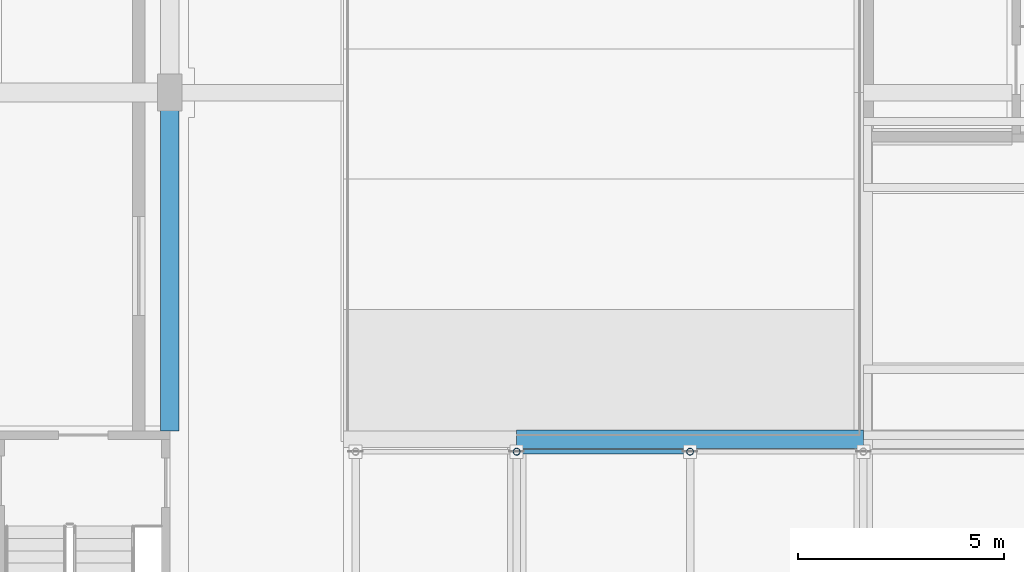
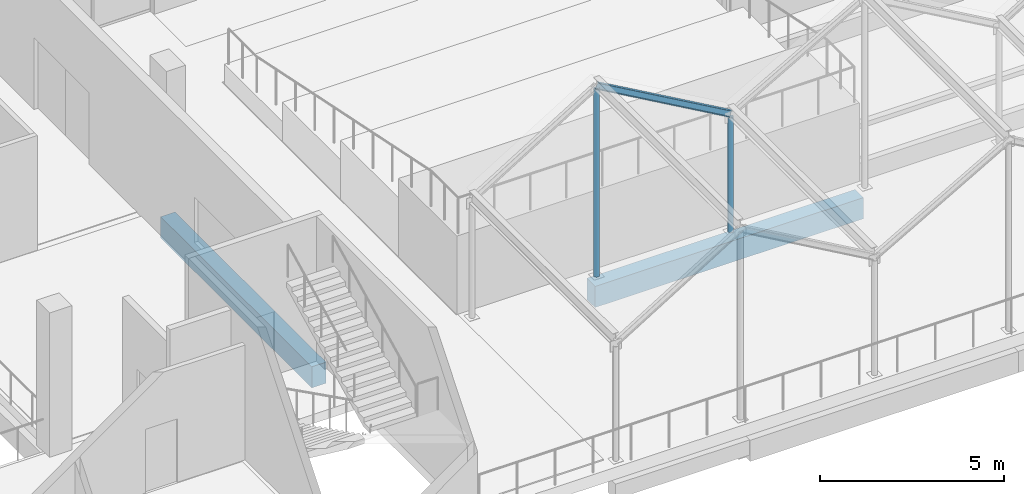
# One storey, part 7 of 67: 3 beams, 2 members.
"""IFC4 building model written with IfcOpenShell, lengths in metres."""

import ifcopenshell
import ifcopenshell.guid

model = None  # the IFC model being written
_history = None  # IfcOwnerHistory: only IFC2X3 demands one
_inside = {}  # id of a spatial element -> (the spatial element, [elements in it])
_under = {}  # id of a project, library or spatial element -> (it, [spatial elements below it])
_declared = {}  # id of a project -> (the project, [libraries it declares])
_typed = {}  # id of a type object -> (the type object, [elements of that type])
_made_of = {}  # id of a material, layer set ... -> (it, [elements and type objects made of it])


def new_model(schema):
    """Start an empty IFC model of exactly this schema.

    Asked for "IFC4X3", IfcOpenShell would pick the latest addendum, in which some entities
    have other attributes; the version numbers below select the first issue.
    IFC2X3 requires an IfcOwnerHistory on every rooted entity: one is made here for all.
    """
    global model, _history
    if schema == "IFC4X3":
        model = ifcopenshell.file(schema_version=(4, 3, 0, 0))
    else:
        model = ifcopenshell.file(schema=schema)
    _inside.clear()
    _under.clear()
    _declared.clear()
    _typed.clear()
    _made_of.clear()
    _history = None
    if model.schema == "IFC2X3":
        org = make("IfcOrganization", Name="unknown")
        user = make(
            "IfcPersonAndOrganization",
            ThePerson=make("IfcPerson", FamilyName="unknown"),
            TheOrganization=org,
        )
        app = make(
            "IfcApplication",
            ApplicationDeveloper=org,
            Version="unknown",
            ApplicationFullName="unknown",
            ApplicationIdentifier="unknown",
        )
        _history = make(
            "IfcOwnerHistory",
            OwningUser=user,
            OwningApplication=app,
            ChangeAction="ADDED",
            CreationDate=0,
        )
    return model


def make(cls, **values):
    """One entity of the class cls with the attributes given. An attribute that is None is left unset."""
    return model.create_entity(
        cls, **{name: value for name, value in values.items() if value is not None}
    )


def rooted(cls, **values):
    """An entity with a GlobalId (a new one), such as an element, a storey or a relation."""
    return make(cls, GlobalId=ifcopenshell.guid.new(), OwnerHistory=_history, **values)


def si_unit(unit_type, name, prefix=None):
    """IfcSIUnit, for example si_unit("LENGTHUNIT", "METRE", prefix="MILLI")."""
    return make("IfcSIUnit", UnitType=unit_type, Prefix=prefix, Name=name)


def assignment(units):
    """IfcUnitAssignment: the units of a project."""
    return None if units is None else make("IfcUnitAssignment", Units=units)


def point(xyz):
    """IfcCartesianPoint."""
    return None if xyz is None else make("IfcCartesianPoint", Coordinates=xyz)


def direction(xyz):
    """IfcDirection."""
    return None if xyz is None else make("IfcDirection", DirectionRatios=xyz)


def frame(location, z_axis=None, x_axis=None):
    """IfcAxis2Placement3D, a coordinate frame: its origin and axes. An axis left out is left unset."""
    return make(
        "IfcAxis2Placement3D",
        Location=point(location),
        Axis=direction(z_axis),
        RefDirection=direction(x_axis),
    )


def frame_2d(location, x_axis=None):
    """IfcAxis2Placement2D, a coordinate frame in the plane: its origin and x axis."""
    return make(
        "IfcAxis2Placement2D", Location=point(location), RefDirection=direction(x_axis)
    )


def origin():
    """The frame at (0, 0, 0) with its axes left unset."""
    return frame((0.0, 0.0, 0.0))


def origin_2d():
    """The frame at (0, 0) in the plane with its x axis left unset."""
    return frame_2d((0.0, 0.0))


def place(relative_to, where):
    """IfcLocalPlacement: puts the frame where relative to a parent placement (None: the world)."""
    return make(
        "IfcLocalPlacement", PlacementRelTo=relative_to, RelativePlacement=where
    )


def context(
    kind, dimensions, precision=None, world=None, true_north=None, identifier=None
):
    """IfcGeometricRepresentationContext, for example the 3D "Model" context."""
    return make(
        "IfcGeometricRepresentationContext",
        ContextIdentifier=identifier,
        ContextType=kind,
        CoordinateSpaceDimension=dimensions,
        Precision=precision,
        WorldCoordinateSystem=world,
        TrueNorth=true_north,
    )


def subcontext(parent, identifier, kind, view, scale=None):
    """IfcGeometricRepresentationSubContext, for example "Body" below "Model"."""
    return make(
        "IfcGeometricRepresentationSubContext",
        ContextIdentifier=identifier,
        ContextType=kind,
        ParentContext=parent,
        TargetScale=scale,
        TargetView=view,
    )


def project(units=None, contexts=None):
    """IfcProject with its units and contexts."""
    return rooted(
        "IfcProject",
        Name="project",
        RepresentationContexts=contexts,
        UnitsInContext=assignment(units),
    )


def spatial(cls, under=None, at=None, **own):
    """A site, building, storey or space (cls), placed at a placement, below another one or the project."""
    s = rooted(cls, ObjectPlacement=at, **own)
    if under is not None:
        _under.setdefault(under.id(), (under, []))[1].append(s)
    return s


def profile(cls, at=None, kind="AREA", **sizes):
    """A parametric profile (cls). Its sizes go by their IFC names, for example OverallWidth=200.0."""
    return make(cls, ProfileType=kind, Position=at, **sizes)


def rectangle(**sizes):
    """IfcRectangleProfileDef."""
    return profile("IfcRectangleProfileDef", **sizes)


def hollow_circle(**sizes):
    """IfcCircleHollowProfileDef."""
    return profile("IfcCircleHollowProfileDef", **sizes)


def i_section(**sizes):
    """IfcIShapeProfileDef."""
    return profile("IfcIShapeProfileDef", **sizes)


def extrude(swept, where, along, depth):
    """IfcExtrudedAreaSolid: the profile swept, set in the frame where, extruded along a direction by depth."""
    return make(
        "IfcExtrudedAreaSolid",
        SweptArea=swept,
        Position=where,
        ExtrudedDirection=direction(along),
        Depth=depth,
    )


def shape(context_of_items, identifier, shape_type, items):
    """IfcShapeRepresentation: the items that make up one representation, for example the "Body"."""
    return make(
        "IfcShapeRepresentation",
        ContextOfItems=context_of_items,
        RepresentationIdentifier=identifier,
        RepresentationType=shape_type,
        Items=items,
    )


def material(Name=None, Category=None):
    """IfcMaterial."""
    return make("IfcMaterial", Name=Name, Category=Category)


def material_profile(
    of_material, cross_section, Name=None, Category=None, Priority=None
):
    """IfcMaterialProfile: a cross section and its material."""
    return make(
        "IfcMaterialProfile",
        Name=Name,
        Material=of_material,
        Profile=cross_section,
        Priority=Priority,
        Category=Category,
    )


def profile_set(profiles, Name=None, composite=None):
    """IfcMaterialProfileSet."""
    return make(
        "IfcMaterialProfileSet",
        Name=Name,
        MaterialProfiles=profiles,
        CompositeProfile=composite,
    )


def made_of(thing, what):
    """Note that an element or type object is made of a material, layer set ...; save() writes the relation."""
    if what is not None:
        _made_of.setdefault(what.id(), (what, []))[1].append(thing)
    return thing


def type_object(cls, material=None, **own):
    """A type object (cls), such as IfcWallType, which elements share."""
    return made_of(rooted(cls, **own), material)


def element(
    cls,
    number,
    at=None,
    inside=None,
    cuts=None,
    type_object=None,
    material=None,
    context=None,
    identifier="Body",
    shape_type=None,
    held_by="IfcProductDefinitionShape",
    body=None,
    shapes=None,
    **own,
):
    """One element of the class cls, such as IfcWall. Its Tag is "e" and its number.

    at: its placement. inside: the storey or other place that contains it. cuts: it is an
    opening in that element (IfcRelVoidsElement). A single representation is given by context,
    identifier, shape_type and body (its items); several are given by shapes. held_by: the class
    of the entity that holds the representations. save() writes the other relations.
    """
    e = rooted(cls, Tag="e%d" % number, ObjectPlacement=at, **own)
    if body is not None:
        shapes = [shape(context, identifier, shape_type, body)]
    if shapes is not None:
        e.Representation = make(held_by, Representations=shapes)
    if inside is not None:
        _inside.setdefault(inside.id(), (inside, []))[1].append(e)
    if cuts is not None:
        rooted(
            "IfcRelVoidsElement", RelatingBuildingElement=cuts, RelatedOpeningElement=e
        )
    if type_object is not None:
        _typed.setdefault(type_object.id(), (type_object, []))[1].append(e)
    return made_of(e, material)


def aggregate(whole, parts):
    """IfcRelAggregates: a whole, such as a stair, and the parts it consists of."""
    return rooted("IfcRelAggregates", RelatingObject=whole, RelatedObjects=parts)


def save(model, path):
    """Write the relations noted so far, then the file.

    IfcRelAggregates (storeys below a building ...), IfcRelContainedInSpatialStructure (elements
    in a storey), IfcRelDefinesByType, IfcRelAssociatesMaterial and IfcRelDeclares: one each for
    every whole, place, type object, material and project.
    """
    for whole, parts in _under.values():
        aggregate(whole, parts)
    for where, things in _inside.values():
        rooted(
            "IfcRelContainedInSpatialStructure",
            RelatedElements=things,
            RelatingStructure=where,
        )
    for kind, things in _typed.values():
        rooted("IfcRelDefinesByType", RelatedObjects=things, RelatingType=kind)
    for what, things in _made_of.values():
        rooted("IfcRelAssociatesMaterial", RelatedObjects=things, RelatingMaterial=what)
    for by, libraries in _declared.values():
        rooted("IfcRelDeclares", RelatingContext=by, RelatedDefinitions=libraries)
    model.write(path)


model = new_model("IFC4")

# Units and contexts
model_context = context("Model", 3, precision=1e-05, world=origin(), true_north=direction((0.0, 1.0)))
body_context = subcontext(model_context, "Body", "Model", "MODEL_VIEW")
ifc_project = project(units=[si_unit("LENGTHUNIT", "METRE"), si_unit("AREAUNIT", "SQUARE_METRE"), si_unit("VOLUMEUNIT", "CUBIC_METRE"), si_unit("PLANEANGLEUNIT", "RADIAN"), si_unit("MASSUNIT", "GRAM", prefix="KILO")], contexts=[model_context])

# Site, building, storey
site_placement = place(None, origin())
site = spatial("IfcSite", under=ifc_project, at=site_placement, CompositionType="ELEMENT")
building_placement = place(site_placement, origin())
building = spatial("IfcBuilding", under=site, at=building_placement, Name="Kiln Court Media Centre", CompositionType="ELEMENT")
storey_placement = place(building_placement, frame((0.0, 0.0, 19.800048828125)))
storey = spatial("IfcBuildingStorey", under=building, at=storey_placement, Name="L04", CompositionType="ELEMENT", Elevation=19.800048828125)

# Beams
ifc_material_1 = material(Name="Concrete C30/37", Category="concrete")
ifc_material_profile_1 = material_profile(ifc_material_1, rectangle(XDim=0.449951171875, YDim=0.699951171875, at=origin_2d()), Name="RC 450x700")
ifc_profile_set_1 = profile_set([ifc_material_profile_1], Name="Concrete C30/37")
beam_type_1 = type_object("IfcBeamType", Name="Concrete C30/37 beam 450x700", PredefinedType="BEAM", material=ifc_profile_set_1)
beam_1_placement = place(storey_placement, frame((33.60009765625, 8.60009765625, -0.650146484375), z_axis=(0.0, 1.0, 0.0), x_axis=(-1.0, 0.0, 0.0)))
element("IfcBeam", 1, at=beam_1_placement, inside=storey, type_object=beam_type_1, Name="L04-B-1020", PredefinedType="BEAM", context=body_context, shape_type="SweptSolid", body=[
    extrude(rectangle(XDim=0.449951171875, YDim=0.699951171875, at=origin_2d()), origin(), (0.0, 0.0, 1.0), 8.199951171875),
])
beam_2_placement = place(storey_placement, frame((42.0, 8.39990234375, -0.75), z_axis=(1.0, 0.0, 0.0), x_axis=(0.0, 1.0, 0.0)))
element("IfcBeam", 2, at=beam_2_placement, inside=storey, type_object=beam_type_1, Name="L04-B-1050", PredefinedType="BEAM", context=body_context, shape_type="SweptSolid", body=[
    extrude(rectangle(XDim=0.449951171875, YDim=0.699951171875, at=origin_2d()), origin(), (0.0, 0.0, 1.0), 8.39990234375),
])

# Members
ifc_material_2 = material(Name="Steel ASTM A500 Gr C", Category="steel")
ifc_material_profile_2 = material_profile(ifc_material_2, hollow_circle(Radius=0.084228515625, WallThickness=0.00634765625, at=origin_2d()), Name="CHS 168.3x6.3")
ifc_profile_set_2 = profile_set([ifc_material_profile_2], Name="Steel ASTM A500 Gr C")
member_type = type_object("IfcMemberType", Name="Steel ASTM A500 Gr C CHS 168.3x6.3 pavilion roof column", PredefinedType="STRUT", material=ifc_profile_set_2)
member_1_placement = place(storey_placement, frame((42.0, 8.10009765625, 0.008056640625), z_axis=(0.0, 0.0, 1.0), x_axis=(1.0, 0.0, 0.0)))
element("IfcMember", 3, at=member_1_placement, inside=storey, type_object=member_type, Name="pavilion roof column 2 pavilion roof column", PredefinedType="STRUT", context=body_context, shape_type="SweptSolid", body=[
    extrude(hollow_circle(Radius=0.084228515625, WallThickness=0.00634765625, at=origin_2d()), origin(), (0.0, 0.0, 1.0), 6.19189453125),
])
member_2_placement = place(storey_placement, frame((46.199951171875, 8.10009765625, 0.008056640625), z_axis=(0.0, 0.0, 1.0), x_axis=(1.0, 0.0, 0.0)))
element("IfcMember", 4, at=member_2_placement, inside=storey, type_object=member_type, Name="pavilion roof column 3 pavilion roof column", PredefinedType="STRUT", context=body_context, shape_type="SweptSolid", body=[
    extrude(hollow_circle(Radius=0.084228515625, WallThickness=0.00634765625, at=origin_2d()), origin(), (0.0, 0.0, 1.0), 3.7919921875),
])

# Beam
ifc_material_3 = material(Name="Steel ASTM A572 Gr 50", Category="steel")
ifc_material_profile_3 = material_profile(ifc_material_3, i_section(OverallWidth=0.10009765625, OverallDepth=0.199951171875, WebThickness=0.005615234375, FlangeThickness=0.008544921875, FilletRadius=0.011962890625, at=origin_2d()), Name="IPE 200")
ifc_profile_set_3 = profile_set([ifc_material_profile_3], Name="Steel ASTM A572 Gr 50")
beam_type_2 = type_object("IfcBeamType", Name="Steel ASTM A572 Gr 50 IPE 200 pavilion roof beam", PredefinedType="BEAM", material=ifc_profile_set_3)
beam_3_placement = place(storey_placement, frame((42.0, 8.10009765625, 6.300048828125), z_axis=(0.868227612608, 0.0, -0.496166114024), x_axis=(0.0, 1.0, 0.0)))
element("IfcBeam", 5, at=beam_3_placement, inside=storey, type_object=beam_type_2, Name="pavilion eaves tie pavilion roof beam", PredefinedType="BEAM", context=body_context, shape_type="SweptSolid", body=[
    extrude(i_section(OverallWidth=0.10009765625, OverallDepth=0.199951171875, WebThickness=0.005615234375, FlangeThickness=0.008544921875, FilletRadius=0.011962890625, at=origin_2d()), origin(), (0.0, 0.0, 1.0), 4.83740234375),
])

save(model, "model.ifc")
